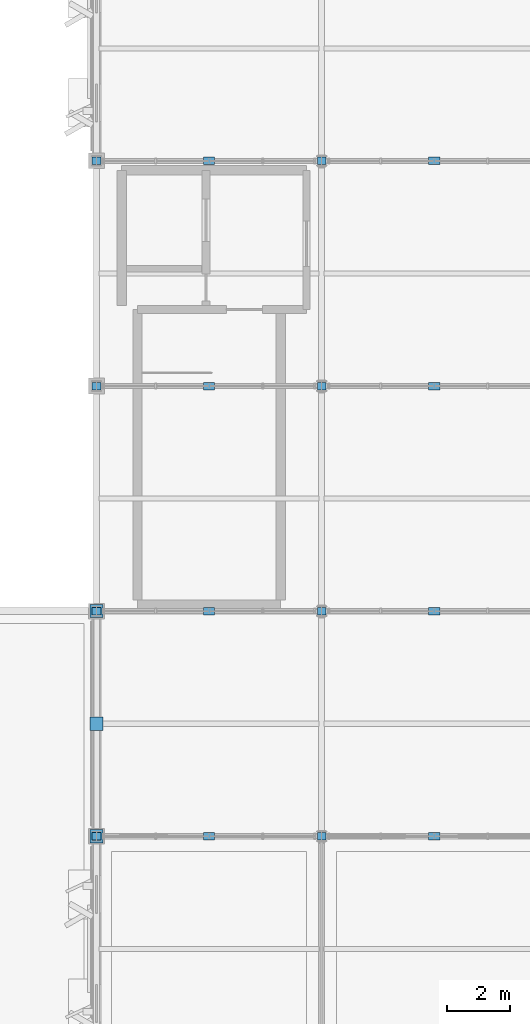
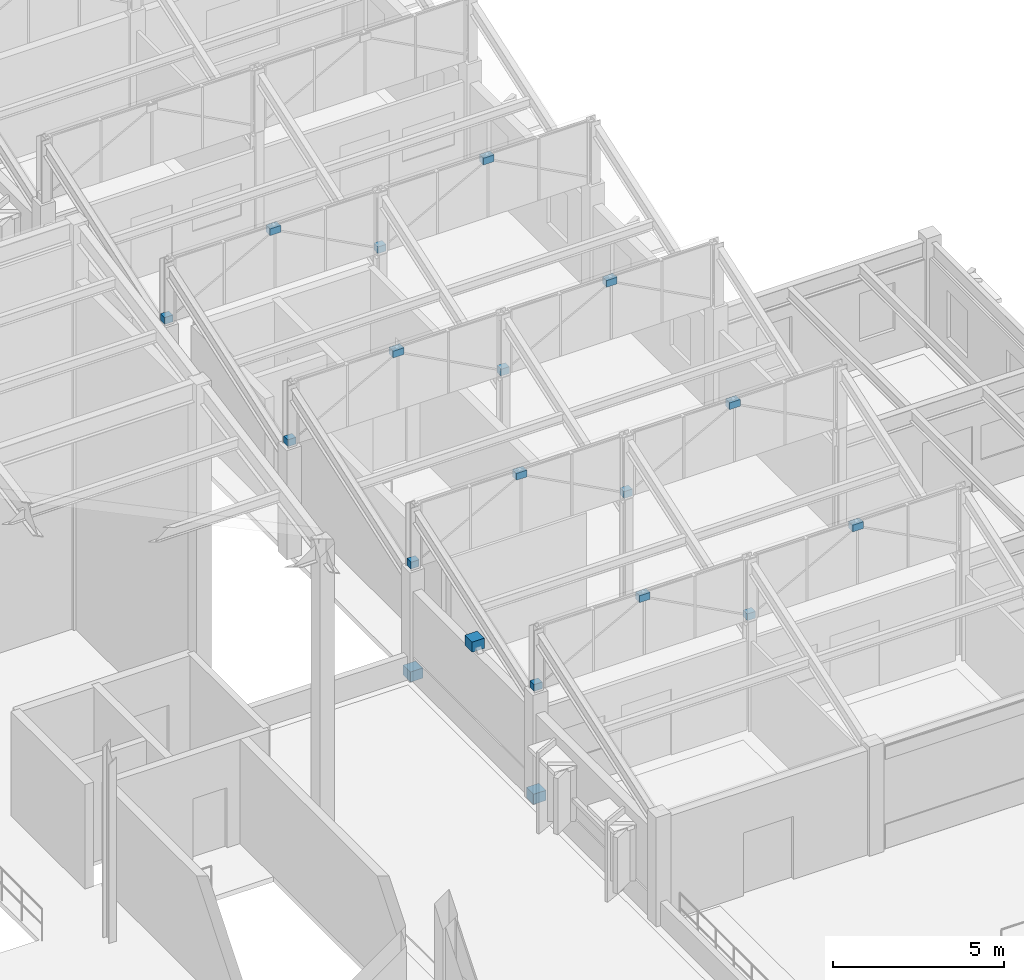
# One storey, part 28 of 82: 19 plates.
"""IFC4 building model written with IfcOpenShell, lengths in metres."""

from ifc_helpers import new_model, si_unit, direction, frame, origin, origin_2d, place, context, subcontext, project, spatial, rectangle, extrude, material, type_object, element, save


model = new_model("IFC4")

# Units and contexts
model_context = context("Model", 3, precision=1e-05, world=origin(), true_north=direction((0.0, 1.0)))
body_context = subcontext(model_context, "Body", "Model", "MODEL_VIEW")
ifc_project = project(units=[si_unit("LENGTHUNIT", "METRE"), si_unit("AREAUNIT", "SQUARE_METRE"), si_unit("VOLUMEUNIT", "CUBIC_METRE"), si_unit("PLANEANGLEUNIT", "RADIAN"), si_unit("MASSUNIT", "GRAM", prefix="KILO")], contexts=[model_context])

# Site, building, storey
site_placement = place(None, origin())
site = spatial("IfcSite", under=ifc_project, at=site_placement, CompositionType="ELEMENT")
building_placement = place(site_placement, origin())
building = spatial("IfcBuilding", under=site, at=building_placement, Name="Sillqori Civic Hall", CompositionType="ELEMENT")
storey_placement = place(building_placement, frame((0.0, 0.0, 14.10009765625)))
storey = spatial("IfcBuildingStorey", under=building, at=storey_placement, Name="L04", CompositionType="ELEMENT", Elevation=14.10009765625)

# Plates
ifc_material = material(Name="Steel ASTM A36", Category="steel")
plate_type_1 = type_object("IfcPlateType", Name="PLT-GUSSET-20", PredefinedType="SHEET", material=ifc_material)
for number, where, z_axis, x_axis, name in (
    (1, (122.39990234375, 46.800048828125, 3.2197265625), (0.0, 0.0, 1.0), (1.0, 0.0, 0.0), "L04 chevron brace node plate APX"),
    (2, (122.39990234375, 43.199951171875, -0.0302734375), (0.0, 0.0, 1.0), (1.0, 0.0, 0.0), "L04 chevron brace node plate BSL"),
    (3, (122.39990234375, 50.39990234375, -0.0302734375), (0.0, 0.0, 1.0), (1.0, 0.0, 0.0), "L04 chevron brace node plate BSR"),
):
    element("IfcPlate", number, at=place(storey_placement, frame(where, z_axis=z_axis, x_axis=x_axis)), inside=storey, type_object=plate_type_1, Name=name, PredefinedType="SHEET", context=body_context, shape_type="SweptSolid", body=[
        extrude(rectangle(XDim=0.419921875, YDim=0.419921875, at=origin_2d()), origin(), (0.0, 0.0, 1.0), 0.360107421875),
    ])
plate_type_2 = type_object("IfcPlateType", Name="PLT-NODE-240", PredefinedType="SHEET", material=ifc_material)
for number, where, z_axis, x_axis, name in (
    (4, (122.39990234375, 43.199951171875, 3.9296875), (0.0, 0.0, 1.0), (1.0, 0.0, 0.0), "Clerestory strut base gusset plate L 17-5"),
    (5, (129.60009765625, 43.199951171875, 3.9296875), (0.0, 0.0, 1.0), (1.0, 0.0, 0.0), "Clerestory strut base gusset plate R 17-5"),
    (6, (122.39990234375, 50.39990234375, 3.9296875), (0.0, 0.0, 1.0), (1.0, 0.0, 0.0), "Clerestory strut base gusset plate L 17-6"),
    (7, (129.60009765625, 50.39990234375, 3.9296875), (0.0, 0.0, 1.0), (1.0, 0.0, 0.0), "Clerestory strut base gusset plate R 17-6"),
    (8, (122.39990234375, 57.60009765625, 3.9296875), (0.0, 0.0, 1.0), (1.0, 0.0, 0.0), "Clerestory strut base gusset plate L 17-7"),
    (9, (129.60009765625, 57.60009765625, 3.9296875), (0.0, 0.0, 1.0), (1.0, 0.0, 0.0), "Clerestory strut base gusset plate R 17-7"),
    (10, (122.39990234375, 64.800048828125, 3.9296875), (0.0, 0.0, 1.0), (1.0, 0.0, 0.0), "Clerestory strut base gusset plate L 17-8"),
    (11, (129.60009765625, 64.800048828125, 3.9296875), (0.0, 0.0, 1.0), (1.0, 0.0, 0.0), "Clerestory strut base gusset plate R 17-8"),
):
    element("IfcPlate", number, at=place(storey_placement, frame(where, z_axis=z_axis, x_axis=x_axis)), inside=storey, type_object=plate_type_2, Name=name, PredefinedType="SHEET", context=body_context, shape_type="SweptSolid", body=[
        extrude(rectangle(XDim=0.280029296875, YDim=0.239990234375, at=origin_2d()), origin(), (0.0, 0.0, 1.0), 0.239990234375),
    ])
plate_type_3 = type_object("IfcPlateType", Name="PLT-NODE-360", PredefinedType="SHEET", material=ifc_material)
for number, where, z_axis, x_axis, name in (
    (12, (126.0, 43.199951171875, 5.85009765625), (0.0, 0.0, 1.0), (1.0, 0.0, 0.0), "Clerestory truss node cap plate 17-5"),
    (13, (133.199951171875, 43.199951171875, 5.85009765625), (0.0, 0.0, 1.0), (1.0, 0.0, 0.0), "Clerestory truss node cap plate 18-5"),
    (14, (126.0, 50.39990234375, 5.85009765625), (0.0, 0.0, 1.0), (1.0, 0.0, 0.0), "Clerestory truss node cap plate 17-6"),
    (15, (133.199951171875, 50.39990234375, 5.85009765625), (0.0, 0.0, 1.0), (1.0, 0.0, 0.0), "Clerestory truss node cap plate 18-6"),
    (16, (126.0, 57.60009765625, 5.85009765625), (0.0, 0.0, 1.0), (1.0, 0.0, 0.0), "Clerestory truss node cap plate 17-7"),
    (17, (133.199951171875, 57.60009765625, 5.85009765625), (0.0, 0.0, 1.0), (1.0, 0.0, 0.0), "Clerestory truss node cap plate 18-7"),
    (18, (126.0, 64.800048828125, 5.85009765625), (0.0, 0.0, 1.0), (1.0, 0.0, 0.0), "Clerestory truss node cap plate 17-8"),
    (19, (133.199951171875, 64.800048828125, 5.85009765625), (0.0, 0.0, 1.0), (1.0, 0.0, 0.0), "Clerestory truss node cap plate 18-8"),
):
    element("IfcPlate", number, at=place(storey_placement, frame(where, z_axis=z_axis, x_axis=x_axis)), inside=storey, type_object=plate_type_3, Name=name, PredefinedType="SHEET", context=body_context, shape_type="SweptSolid", body=[
        extrude(rectangle(XDim=0.360107421875, YDim=0.239990234375, at=origin_2d()), origin(), (0.0, 0.0, 1.0), 0.239990234375),
    ])

save(model, "model.ifc")
